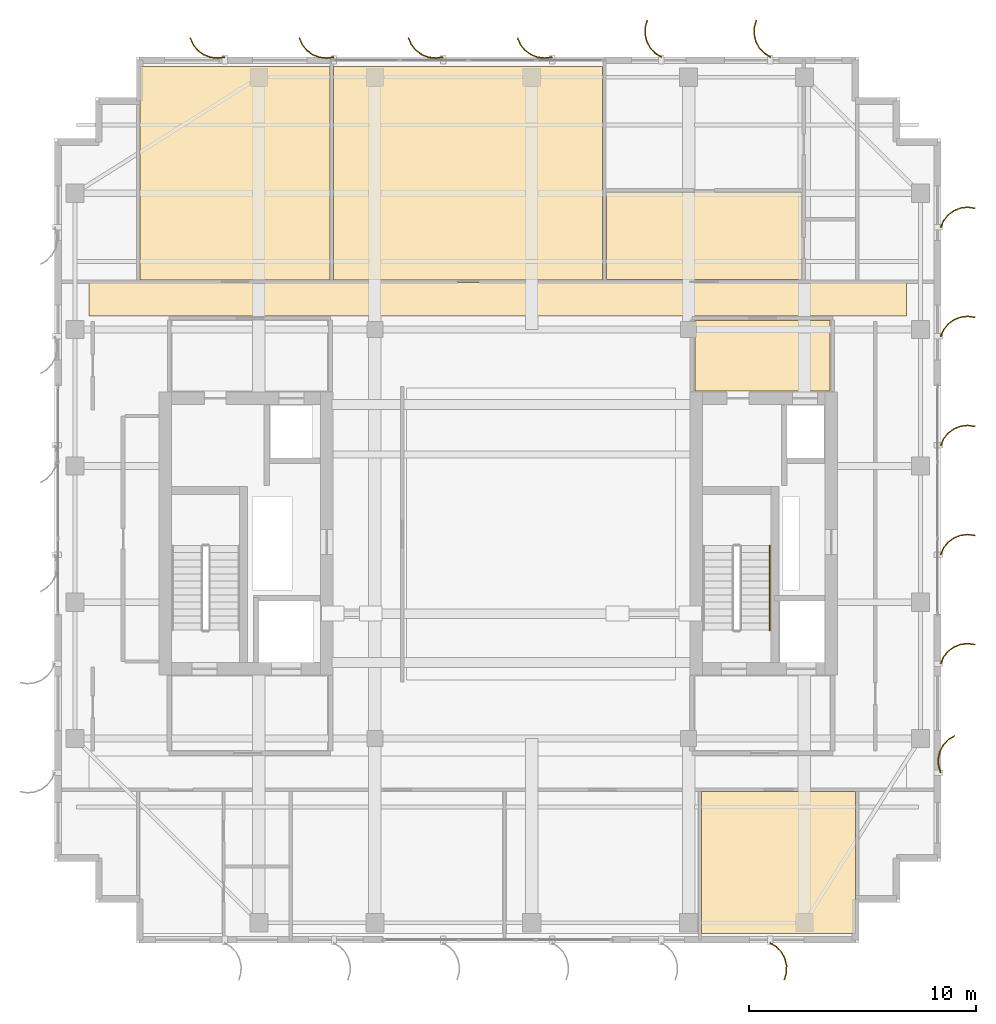
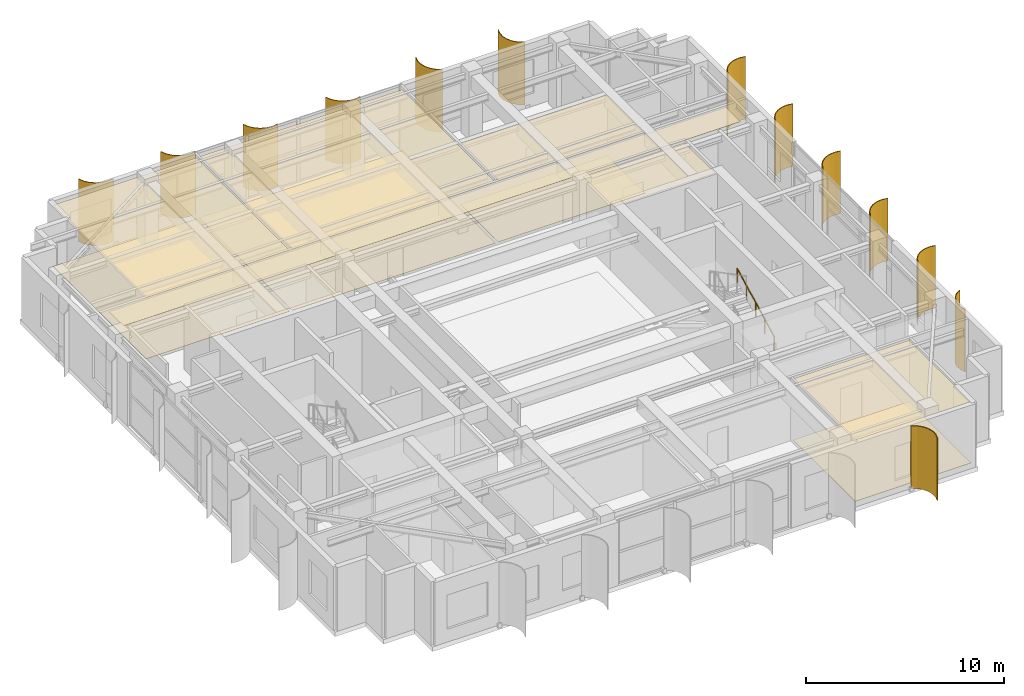
# One storey, part 26 of 26: 13 shading devices, 10 coverings, 1 railing.
"""IFC4 building model written with IfcOpenShell, lengths in metres."""

from ifc_helpers import new_model, si_unit, direction, frame, origin, origin_2d, place, context, subcontext, project, spatial, polyline, circle, outline, extrude, source, transform, mapped, material, layer, layer_set, type_object, element, save


model = new_model("IFC4")

# Units and contexts
model_context = context("Model", 3, precision=1e-05, world=origin(), true_north=direction((0.0, 1.0)))
body_context = subcontext(model_context, "Body", "Model", "MODEL_VIEW")
ifc_project = project(units=[si_unit("LENGTHUNIT", "METRE"), si_unit("AREAUNIT", "SQUARE_METRE"), si_unit("VOLUMEUNIT", "CUBIC_METRE"), si_unit("PLANEANGLEUNIT", "RADIAN"), si_unit("MASSUNIT", "GRAM", prefix="KILO")], contexts=[model_context])

# Site, building, storey
site_placement = place(None, origin())
site = spatial("IfcSite", under=ifc_project, at=site_placement, CompositionType="ELEMENT")
building_placement = place(site_placement, origin())
building = spatial("IfcBuilding", under=site, at=building_placement, Name="Khoralis Quay Care Tower", CompositionType="ELEMENT")
storey_placement = place(building_placement, frame((0.0, 0.0, 289.5)))
storey = spatial("IfcBuildingStorey", under=building, at=storey_placement, Name="L76", CompositionType="ELEMENT", Elevation=289.5)

# Coverings
ifc_material_1 = material(Name="Mineral-fibre acoustic ceiling tile")
ifc_layer_1 = layer(ifc_material_1, 0.01806640625)
ifc_layer_set_1 = layer_set([ifc_layer_1], Name="Mineral-fibre acoustic ceiling tile")
covering_type_1 = type_object("IfcCoveringType", Name="COV-CEIL-AC18", PredefinedType="CEILING", material=ifc_layer_set_1)
covering_1_placement = place(storey_placement, frame((0.0, 0.0, 3.77197265625)))
element("IfcCovering", 1, at=covering_1_placement, inside=storey, type_object=covering_type_1, Name="Suspended Acoustic Ceiling SP-L76-LLOB-E", PredefinedType="CEILING", context=body_context, shape_type="SweptSolid", body=[
    extrude(outline(polyline([(31.179931640625, 27.300048828125), (37.1201171875, 27.300048828125), (37.1201171875, 30.389892578125), (31.179931640625, 30.389892578125), (31.179931640625, 27.300048828125)])), origin(), (0.0, 0.0, 1.0), 0.01806640625),
])
covering_2_placement = place(storey_placement, frame((0.0, 0.0, 3.77197265625)))
element("IfcCovering", 2, at=covering_2_placement, inside=storey, type_object=covering_type_1, Name="Suspended Acoustic Ceiling SP-L76-CORR-N", PredefinedType="CEILING", context=body_context, shape_type="SweptSolid", body=[
    extrude(outline(polyline([(4.52001953125, 30.590087890625), (40.47998046875, 30.590087890625), (40.47998046875, 32.06005859375), (4.52001953125, 32.06005859375), (4.52001953125, 30.590087890625)])), origin(), (0.0, 0.0, 1.0), 0.01806640625),
])
covering_3_placement = place(storey_placement, frame((0.0, 0.0, 3.77197265625)))
element("IfcCovering", 3, at=covering_3_placement, inside=storey, type_object=covering_type_1, Name="Suspended Acoustic Ceiling SP-L76-SB-COM3", PredefinedType="CEILING", context=body_context, shape_type="SweptSolid", body=[
    extrude(outline(polyline([(31.47998046875, 3.419921875), (38.239990234375, 3.419921875), (38.239990234375, 9.669921875), (31.47998046875, 9.669921875), (31.47998046875, 3.419921875)])), origin(), (0.0, 0.0, 1.0), 0.01806640625),
])
covering_4_placement = place(storey_placement, frame((0.0, 0.0, 3.77197265625)))
element("IfcCovering", 4, at=covering_4_placement, inside=storey, type_object=covering_type_1, Name="Suspended Acoustic Ceiling SP-L76-NB-COM0", PredefinedType="CEILING", context=body_context, shape_type="SweptSolid", body=[
    extrude(outline(polyline([(6.760009765625, 32.179931640625), (15.1201171875, 32.179931640625), (15.1201171875, 41.580078125), (6.760009765625, 41.580078125), (6.760009765625, 32.179931640625)])), origin(), (0.0, 0.0, 1.0), 0.01806640625),
])
covering_5_placement = place(storey_placement, frame((0.0, 0.0, 3.77197265625)))
element("IfcCovering", 5, at=covering_5_placement, inside=storey, type_object=covering_type_1, Name="Suspended Acoustic Ceiling SP-L76-NB-COM1", PredefinedType="CEILING", context=body_context, shape_type="SweptSolid", body=[
    extrude(outline(polyline([(15.280029296875, 32.179931640625), (27.1201171875, 32.179931640625), (27.1201171875, 41.580078125), (15.280029296875, 41.580078125), (15.280029296875, 32.179931640625)])), origin(), (0.0, 0.0, 1.0), 0.01806640625),
])
covering_6_placement = place(storey_placement, frame((0.0, 0.0, 3.77197265625)))
element("IfcCovering", 6, at=covering_6_placement, inside=storey, type_object=covering_type_1, Name="Suspended Acoustic Ceiling SP-L76-NB-CARE2", PredefinedType="CEILING", context=body_context, shape_type="SweptSolid", body=[
    extrude(outline(polyline([(27.300048828125, 32.199951171875), (35.8701171875, 32.199951171875), (35.8701171875, 36.030029296875), (27.300048828125, 36.030029296875), (27.300048828125, 32.199951171875)])), origin(), (0.0, 0.0, 1.0), 0.01806640625),
])
ifc_material_2 = material(Name="Porcelain and non-slip vinyl flooring")
ifc_layer_2 = layer(ifc_material_2, 0.02001953125)
ifc_layer_set_2 = layer_set([ifc_layer_2], Name="Porcelain and non-slip vinyl flooring")
covering_type_2 = type_object("IfcCoveringType", Name="COV-FLOOR-20", PredefinedType="FLOORING", material=ifc_layer_set_2)
covering_7_placement = place(storey_placement, origin())
element("IfcCovering", 7, at=covering_7_placement, inside=storey, type_object=covering_type_2, Name="Resilient Healthcare Flooring SP-L76-SB-COM3", PredefinedType="FLOORING", context=body_context, shape_type="SweptSolid", body=[
    extrude(outline(polyline([(31.47998046875, 3.419921875), (38.239990234375, 3.419921875), (38.239990234375, 9.669921875), (31.47998046875, 9.669921875), (31.47998046875, 3.419921875)])), origin(), (0.0, 0.0, 1.0), 0.02001953125),
])
covering_8_placement = place(storey_placement, origin())
element("IfcCovering", 8, at=covering_8_placement, inside=storey, type_object=covering_type_2, Name="Resilient Healthcare Flooring SP-L76-NB-COM0", PredefinedType="FLOORING", context=body_context, shape_type="SweptSolid", body=[
    extrude(outline(polyline([(6.760009765625, 32.179931640625), (15.1201171875, 32.179931640625), (15.1201171875, 41.580078125), (6.760009765625, 41.580078125), (6.760009765625, 32.179931640625)])), origin(), (0.0, 0.0, 1.0), 0.02001953125),
])
covering_9_placement = place(storey_placement, origin())
element("IfcCovering", 9, at=covering_9_placement, inside=storey, type_object=covering_type_2, Name="Resilient Healthcare Flooring SP-L76-NB-COM1", PredefinedType="FLOORING", context=body_context, shape_type="SweptSolid", body=[
    extrude(outline(polyline([(15.280029296875, 32.179931640625), (27.1201171875, 32.179931640625), (27.1201171875, 41.580078125), (15.280029296875, 41.580078125), (15.280029296875, 32.179931640625)])), origin(), (0.0, 0.0, 1.0), 0.02001953125),
])
covering_10_placement = place(storey_placement, origin())
element("IfcCovering", 10, at=covering_10_placement, inside=storey, type_object=covering_type_2, Name="Resilient Healthcare Flooring SP-L76-NB-CARE2", PredefinedType="FLOORING", context=body_context, shape_type="SweptSolid", body=[
    extrude(outline(polyline([(27.300048828125, 32.199951171875), (35.8701171875, 32.199951171875), (35.8701171875, 36.030029296875), (27.300048828125, 36.030029296875), (27.300048828125, 32.199951171875)])), origin(), (0.0, 0.0, 1.0), 0.02001953125),
])

# Railing
ifc_material_3 = material(Name="Brushed stainless steel", Category="steel")
railing_type = type_object("IfcRailingType", Name="RL-HAND-900", PredefinedType="HANDRAIL", material=ifc_material_3)
railing_placement = place(storey_placement, frame((34.469970703125, 16.77001953125, 0.16162109375)))
element("IfcRailing", 11, at=railing_placement, inside=storey, type_object=railing_type, Name="L76 ST-T2 stair handrail 1", PredefinedType="HANDRAIL", context=body_context, shape_type="SweptSolid", body=[
    extrude(circle(Radius=0.02392578125, at=origin_2d()), frame((0.0, 0.0, 0.8759765625), z_axis=(0.0, 0.886817194535, 0.462120399331), x_axis=(-1.0, 0.0, 0.0)), (0.0, 0.0, 1.0), 4.19482421875),
    extrude(circle(Radius=0.02099609375, at=origin_2d()), origin(), (0.0, 0.0, 1.0), 0.851806640625),
    extrude(circle(Radius=0.02099609375, at=origin_2d()), frame((0.0, 0.929931640625, 0.484619140625)), (0.0, 0.0, 1.0), 0.851806640625),
    extrude(circle(Radius=0.02099609375, at=origin_2d()), frame((0.0, 1.85986328125, 0.96923828125)), (0.0, 0.0, 1.0), 0.851806640625),
    extrude(circle(Radius=0.02099609375, at=origin_2d()), frame((0.0, 2.7900390625, 1.453857421875)), (0.0, 0.0, 1.0), 0.851806640625),
    extrude(circle(Radius=0.02099609375, at=origin_2d()), frame((0.0, 3.719970703125, 1.9384765625)), (0.0, 0.0, 1.0), 0.851806640625),
])

# Shading devices
ifc_material_4 = material(Name="Brushed pale anodised aluminium", Category="aluminium")
ifc_layer_3 = layer(ifc_material_4, 0.044921875)
ifc_layer_set_3 = layer_set([ifc_layer_3], Name="Brushed pale anodised aluminium")
shading_device_type = type_object("IfcShadingDeviceType", Name="SHD-FIN-1250", PredefinedType="USERDEFINED", material=ifc_layer_set_3)
shared_shape_1 = source(origin(), body_context, "Body", "SweptSolid", [
    extrude(outline(polyline([(0.0, 0.0), (0.17041015625, 0.2783203125), (0.4072265625, 0.5029296875), (0.694091796875, 0.658447265625), (1.01123046875, 0.734619140625), (1.33740234375, 0.72607421875), (1.650390625, 0.633544921875), (1.632080078125, 0.59228515625), (1.330322265625, 0.681640625), (1.015869140625, 0.68994140625), (0.710205078125, 0.616455078125), (0.43359375, 0.466552734375), (0.20556640625, 0.25), (0.041015625, -0.018310546875), (0.0, 0.0)])), origin(), (0.0, 0.0, 1.0), 3.85986328125),
])
for number, where, z_axis, x_axis, name in (
    (12, (34.5, 3.030029296875, 0.02001953125), (0.0, 0.0, 1.0), (0.0, -1.0, 0.0), "L76 Curved Solar Fin P1E0-06"),
    (13, (34.5, 41.969970703125, 0.02001953125), (0.0, 0.0, 1.0), (0.0, 1.0, 0.0), "L76 Curved Solar Fin P1E10-01"),
    (14, (29.699951171875, 41.969970703125, 0.02001953125), (0.0, 0.0, 1.0), (0.0, 1.0, 0.0), "L76 Curved Solar Fin P1E10-02"),
):
    element("IfcShadingDevice", number, at=place(storey_placement, frame(where, z_axis=z_axis, x_axis=x_axis)), inside=storey, type_object=shading_device_type, Name=name, ObjectType="FIN", PredefinedType="USERDEFINED", context=body_context, shape_type="MappedRepresentation", body=[
        mapped(shared_shape_1, transform((0.0, 0.0, 0.0), scale=1.0)),
    ])
shared_shape_2 = source(origin(), body_context, "Body", "SweptSolid", [
    extrude(outline(polyline([(0.0, 0.0), (-0.04833984375, 0.32275390625), (-0.01123046875, 0.64697265625), (0.1083984375, 0.950439453125), (0.302490234375, 1.212890625), (0.557861328125, 1.416015625), (0.85693359375, 1.546142578125), (0.869384765625, 1.5029296875), (0.5810546875, 1.37744140625), (0.334716796875, 1.181640625), (0.147705078125, 0.9287109375), (0.032470703125, 0.635986328125), (-0.003173828125, 0.323486328125), (0.043212890625, 0.012451171875), (0.0, 0.0)])), origin(), (0.0, 0.0, 1.0), 3.85986328125),
])
for number, where, z_axis, x_axis, name in (
    (15, (24.89990234375, 41.969970703125, 0.02001953125), (0.0, 0.0, 1.0), (0.0, 1.0, 0.0), "L76 Curved Solar Fin P1E10-03"),
    (16, (20.10009765625, 41.969970703125, 0.02001953125), (0.0, 0.0, 1.0), (0.0, 1.0, 0.0), "L76 Curved Solar Fin P1E10-04"),
    (17, (15.300048828125, 41.969970703125, 0.02001953125), (0.0, 0.0, 1.0), (0.0, 1.0, 0.0), "L76 Curved Solar Fin P1E10-05"),
    (18, (10.5, 41.969970703125, 0.02001953125), (0.0, 0.0, 1.0), (0.0, 1.0, 0.0), "L76 Curved Solar Fin P1E10-06"),
):
    element("IfcShadingDevice", number, at=place(storey_placement, frame(where, z_axis=z_axis, x_axis=x_axis)), inside=storey, type_object=shading_device_type, Name=name, ObjectType="FIN", PredefinedType="USERDEFINED", context=body_context, shape_type="MappedRepresentation", body=[
        mapped(shared_shape_2, transform((0.0, 0.0, 0.0), scale=1.0)),
    ])
shared_shape_3 = source(origin(), body_context, "Body", "SweptSolid", [
    extrude(outline(polyline([(0.0, 0.0), (0.130126953125, 0.29931640625), (0.333251953125, 0.5546875), (0.595458984375, 0.748779296875), (0.899169921875, 0.868408203125), (1.223388671875, 0.9052734375), (1.546142578125, 0.85693359375), (1.53369140625, 0.813720703125), (1.22265625, 0.8603515625), (0.91015625, 0.82470703125), (0.617431640625, 0.70947265625), (0.364501953125, 0.522216796875), (0.168701171875, 0.276123046875), (0.043212890625, -0.012451171875), (0.0, 0.0)])), origin(), (0.0, 0.0, 1.0), 3.85986328125),
])
for number, where, z_axis, x_axis, name in (
    (19, (41.969970703125, 15.300048828125, 0.02001953125), (0.0, 0.0, 1.0), (1.0, 0.0, 0.0), "L76 Curved Solar Fin P1E5-02"),
    (20, (41.969970703125, 20.10009765625, 0.02001953125), (0.0, 0.0, 1.0), (1.0, 0.0, 0.0), "L76 Curved Solar Fin P1E5-03"),
    (21, (41.969970703125, 24.89990234375, 0.02001953125), (0.0, 0.0, 1.0), (1.0, 0.0, 0.0), "L76 Curved Solar Fin P1E5-04"),
    (22, (41.969970703125, 29.699951171875, 0.02001953125), (0.0, 0.0, 1.0), (1.0, 0.0, 0.0), "L76 Curved Solar Fin P1E5-05"),
    (23, (41.969970703125, 34.5, 0.02001953125), (0.0, 0.0, 1.0), (1.0, 0.0, 0.0), "L76 Curved Solar Fin P1E5-06"),
):
    element("IfcShadingDevice", number, at=place(storey_placement, frame(where, z_axis=z_axis, x_axis=x_axis)), inside=storey, type_object=shading_device_type, Name=name, ObjectType="FIN", PredefinedType="USERDEFINED", context=body_context, shape_type="MappedRepresentation", body=[
        mapped(shared_shape_3, transform((0.0, 0.0, 0.0), scale=1.0)),
    ])
shared_shape_4 = source(origin(), body_context, "Body", "SweptSolid", [
    extrude(outline(polyline([(0.0, 0.0), (-0.0927734375, 0.31298828125), (-0.101318359375, 0.63916015625), (-0.025146484375, 0.956298828125), (0.130615234375, 1.2431640625), (0.355224609375, 1.479736328125), (0.633544921875, 1.650390625), (0.65185546875, 1.609130859375), (0.383544921875, 1.44482421875), (0.1669921875, 1.216796875), (0.01708984375, 0.940185546875), (-0.056396484375, 0.63427734375), (-0.04833984375, 0.31982421875), (0.041015625, 0.018310546875), (0.0, 0.0)])), origin(), (0.0, 0.0, 1.0), 3.85986328125),
])
shading_device_placement = place(storey_placement, frame((41.969970703125, 10.5, 0.02001953125), z_axis=(0.0, 0.0, 1.0), x_axis=(1.0, 0.0, 0.0)))
element("IfcShadingDevice", 24, at=shading_device_placement, inside=storey, type_object=shading_device_type, Name="L76 Curved Solar Fin P1E5-01", ObjectType="FIN", PredefinedType="USERDEFINED", context=body_context, shape_type="MappedRepresentation", body=[
    mapped(shared_shape_4, transform((0.0, 0.0, 0.0), scale=1.0)),
])

save(model, "model.ifc")
